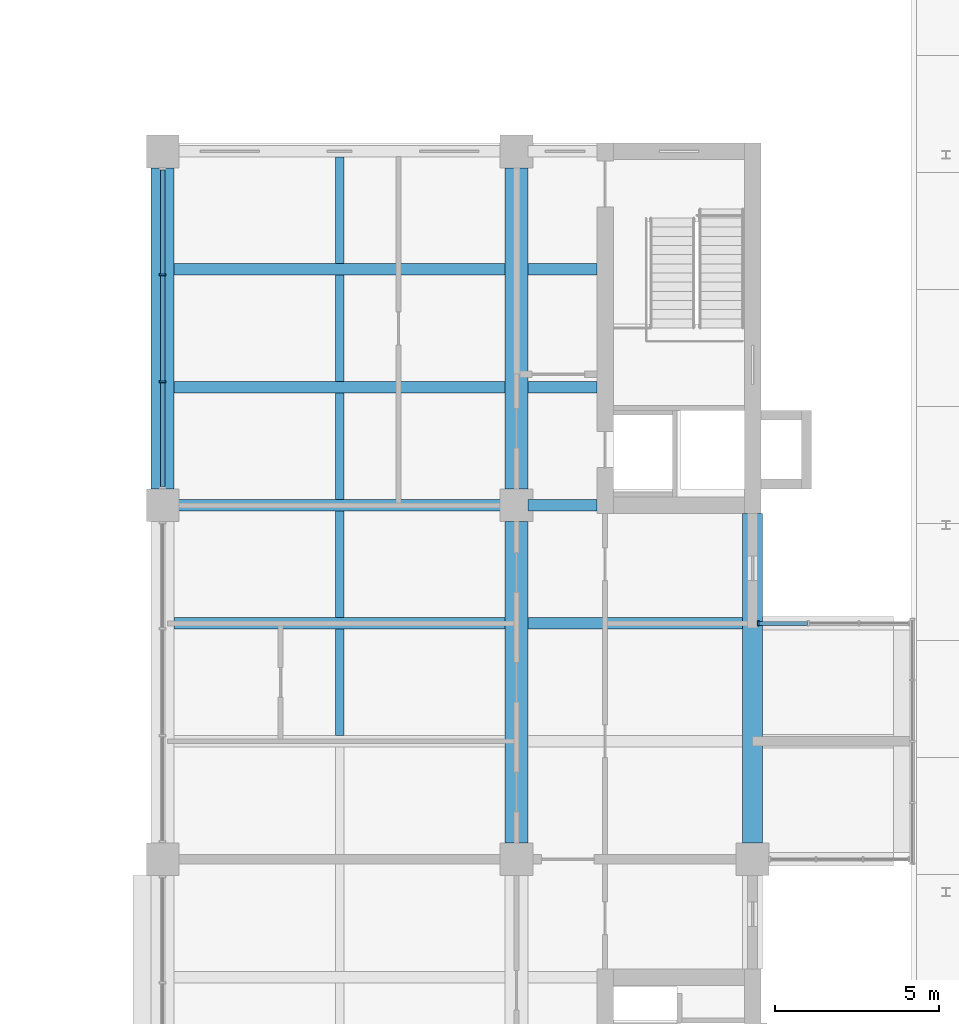
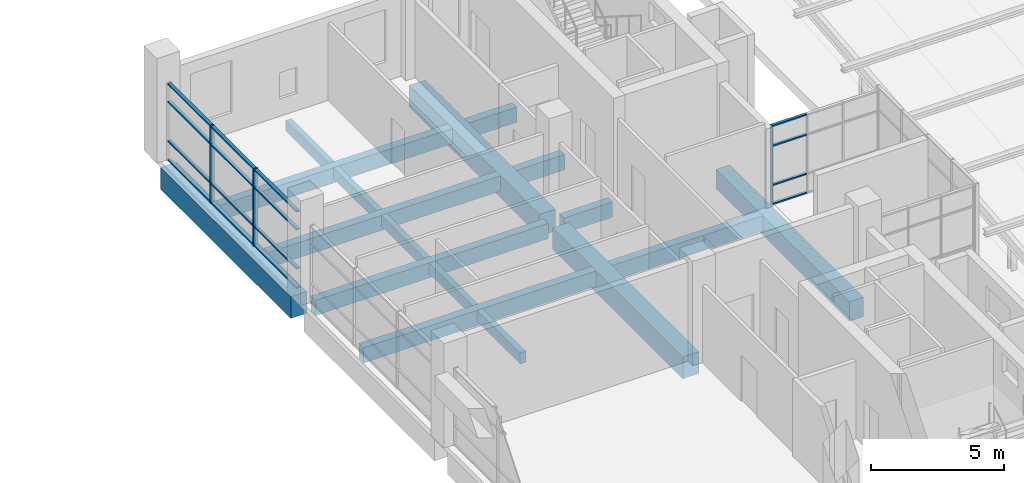
# One storey, part 12 of 44: 19 members, 17 beams, 2 elements without a shape of their own.
"""IFC4 building model written with IfcOpenShell, lengths in metres."""

from ifc_helpers import new_model, si_unit, direction, frame, origin, origin_2d, place, context, subcontext, project, spatial, rectangle, extrude, material, layer, layer_set, material_profile, profile_set, type_object, element, aggregate, save


model = new_model("IFC4")

# Units and contexts
model_context = context("Model", 3, precision=1e-05, world=origin(), true_north=direction((0.0, 1.0)))
body_context = subcontext(model_context, "Body", "Model", "MODEL_VIEW")
ifc_project = project(units=[si_unit("LENGTHUNIT", "METRE"), si_unit("AREAUNIT", "SQUARE_METRE"), si_unit("VOLUMEUNIT", "CUBIC_METRE"), si_unit("PLANEANGLEUNIT", "RADIAN"), si_unit("MASSUNIT", "GRAM", prefix="KILO")], contexts=[model_context])

# Site, building, storey
site_placement = place(None, origin())
site = spatial("IfcSite", under=ifc_project, at=site_placement, CompositionType="ELEMENT")
building_placement = place(site_placement, origin())
building = spatial("IfcBuilding", under=site, at=building_placement, Name="Basin Gate Institute", CompositionType="ELEMENT")
storey_placement = place(building_placement, frame((0.0, 0.0, 27.0)))
storey = spatial("IfcBuildingStorey", under=building, at=storey_placement, Name="L05", CompositionType="ELEMENT", Elevation=27.0)

# Beams
ifc_material_1 = material(Name="Concrete 40 MPa", Category="concrete")
ifc_material_profile_1 = material_profile(ifc_material_1, rectangle(XDim=0.35009765625, YDim=0.699951171875, at=origin_2d()), Name="Beam B1 350 x 700")
ifc_profile_set_1 = profile_set([ifc_material_profile_1], Name="Concrete 40 MPa")
beam_type_1 = type_object("IfcBeamType", Name="Beam B1 R120", PredefinedType="BEAM", material=ifc_profile_set_1)
beam_1_placement = place(storey_placement, frame((111.25, 85.5, -0.60009765625), z_axis=(-1.0, 0.0, 0.0), x_axis=(0.0, -1.0, 0.0)))
element("IfcBeam", 1, at=beam_1_placement, inside=storey, type_object=beam_type_1, material=ifc_profile_set_1, Name="BEAM/L05/E/EW/15", PredefinedType="BEAM", context=body_context, shape_type="SweptSolid", body=[
    extrude(rectangle(XDim=0.35009765625, YDim=0.699951171875, at=origin_2d()), origin(), (0.0, 0.0, 1.0), 10.10009765625),
])
beam_2_placement = place(storey_placement, frame((118.5, 85.5, -0.60009765625), z_axis=(-1.0, 0.0, 0.0), x_axis=(0.0, -1.0, 0.0)))
element("IfcBeam", 2, at=beam_2_placement, inside=storey, type_object=beam_type_1, material=ifc_profile_set_1, Name="BEAM/L05/E/OUT/15", PredefinedType="BEAM", context=body_context, shape_type="SweptSolid", body=[
    extrude(rectangle(XDim=0.35009765625, YDim=0.699951171875, at=origin_2d()), origin(), (0.0, 0.0, 1.0), 6.550048828125),
])
beam_3_placement = place(storey_placement, frame((111.25, 89.10009765625, -0.60009765625), z_axis=(-1.0, 0.0, 0.0), x_axis=(0.0, -1.0, 0.0)))
element("IfcBeam", 3, at=beam_3_placement, inside=storey, type_object=beam_type_1, material=ifc_profile_set_1, Name="BEAM/L05/E/EW/16", PredefinedType="BEAM", context=body_context, shape_type="SweptSolid", body=[
    extrude(rectangle(XDim=0.35009765625, YDim=0.699951171875, at=origin_2d()), origin(), (0.0, 0.0, 1.0), 10.10009765625),
])
beam_4_placement = place(storey_placement, frame((114.050048828125, 89.10009765625, -0.60009765625), z_axis=(-1.0, 0.0, 0.0), x_axis=(0.0, -1.0, 0.0)))
element("IfcBeam", 4, at=beam_4_placement, inside=storey, type_object=beam_type_1, material=ifc_profile_set_1, Name="BEAM/L05/E/CORR/16", PredefinedType="BEAM", context=body_context, shape_type="SweptSolid", body=[
    extrude(rectangle(XDim=0.35009765625, YDim=0.699951171875, at=origin_2d()), origin(), (0.0, 0.0, 1.0), 2.10009765625),
])
beam_5_placement = place(storey_placement, frame((111.25, 92.699951171875, -0.60009765625), z_axis=(-1.0, 0.0, 0.0), x_axis=(0.0, -1.0, 0.0)))
element("IfcBeam", 5, at=beam_5_placement, inside=storey, type_object=beam_type_1, material=ifc_profile_set_1, Name="BEAM/L05/E/EW/17", PredefinedType="BEAM", context=body_context, shape_type="SweptSolid", body=[
    extrude(rectangle(XDim=0.35009765625, YDim=0.699951171875, at=origin_2d()), origin(), (0.0, 0.0, 1.0), 10.10009765625),
])
beam_6_placement = place(storey_placement, frame((114.050048828125, 92.699951171875, -0.60009765625), z_axis=(-1.0, 0.0, 0.0), x_axis=(0.0, -1.0, 0.0)))
element("IfcBeam", 6, at=beam_6_placement, inside=storey, type_object=beam_type_1, material=ifc_profile_set_1, Name="BEAM/L05/E/CORR/17", PredefinedType="BEAM", context=body_context, shape_type="SweptSolid", body=[
    extrude(rectangle(XDim=0.35009765625, YDim=0.699951171875, at=origin_2d()), origin(), (0.0, 0.0, 1.0), 2.10009765625),
])
beam_7_placement = place(storey_placement, frame((111.25, 96.300048828125, -0.60009765625), z_axis=(-1.0, 0.0, 0.0), x_axis=(0.0, -1.0, 0.0)))
element("IfcBeam", 7, at=beam_7_placement, inside=storey, type_object=beam_type_1, material=ifc_profile_set_1, Name="BEAM/L05/E/EW/18", PredefinedType="BEAM", context=body_context, shape_type="SweptSolid", body=[
    extrude(rectangle(XDim=0.35009765625, YDim=0.699951171875, at=origin_2d()), origin(), (0.0, 0.0, 1.0), 10.10009765625),
])
beam_8_placement = place(storey_placement, frame((114.050048828125, 96.300048828125, -0.60009765625), z_axis=(-1.0, 0.0, 0.0), x_axis=(0.0, -1.0, 0.0)))
element("IfcBeam", 8, at=beam_8_placement, inside=storey, type_object=beam_type_1, material=ifc_profile_set_1, Name="BEAM/L05/E/CORR/18", PredefinedType="BEAM", context=body_context, shape_type="SweptSolid", body=[
    extrude(rectangle(XDim=0.35009765625, YDim=0.699951171875, at=origin_2d()), origin(), (0.0, 0.0, 1.0), 2.10009765625),
])
ifc_material_2 = material(Name="Concrete 50 MPa", Category="concrete")
ifc_material_profile_2 = material_profile(ifc_material_2, rectangle(XDim=0.60009765625, YDim=0.89990234375, at=origin_2d()), Name="Edge beam EB1 600 x 900")
ifc_profile_set_2 = profile_set([ifc_material_profile_2], Name="Concrete 50 MPa")
beam_type_2 = type_object("IfcBeamType", Name="Edge beam EB1 R120", PredefinedType="SPANDREL", material=ifc_profile_set_2)
beam_9_placement = place(storey_placement, frame((118.800048828125, 78.800048828125, -0.699951171875), z_axis=(0.0, 1.0, 0.0), x_axis=(-1.0, 0.0, 0.0)))
element("IfcBeam", 9, at=beam_9_placement, inside=storey, type_object=beam_type_2, material=ifc_profile_set_2, Name="BEAM/L05/E/EDGE/4", PredefinedType="SPANDREL", context=body_context, shape_type="SweptSolid", body=[
    extrude(rectangle(XDim=0.60009765625, YDim=0.89990234375, at=origin_2d()), origin(), (0.0, 0.0, 1.0), 10.050048828125),
])
ifc_material_3 = material(Name="Concrete 50 MPa", Category="concrete")
ifc_material_profile_3 = material_profile(ifc_material_3, rectangle(XDim=0.699951171875, YDim=1.0, at=origin_2d()), Name="Girder G1 700 x 1000")
ifc_profile_set_3 = profile_set([ifc_material_profile_3], Name="Concrete 50 MPa")
beam_type_3 = type_object("IfcBeamType", Name="Girder G1 R120", PredefinedType="BEAM", material=ifc_profile_set_3)
beam_10_placement = place(storey_placement, frame((111.60009765625, 78.800048828125, -0.75), z_axis=(0.0, 1.0, 0.0), x_axis=(-1.0, 0.0, 0.0)))
element("IfcBeam", 10, at=beam_10_placement, inside=storey, type_object=beam_type_3, material=ifc_profile_set_3, Name="GIR/L05/E8/5", PredefinedType="BEAM", context=body_context, shape_type="SweptSolid", body=[
    extrude(rectangle(XDim=0.699951171875, YDim=1.0, at=origin_2d()), origin(), (0.0, 0.0, 1.0), 9.800048828125),
])
for number, where, z_axis, x_axis, name in (
    (11, (111.60009765625, 89.60009765625, -0.75), (0.0, 1.0, 0.0), (-1.0, 0.0, 0.0), "GIR/L05/E8/6"),
    (12, (100.800048828125, 89.60009765625, -0.75), (0.0, 1.0, 0.0), (-1.0, 0.0, 0.0), "GIR/L05/E7/6"),
):
    element("IfcBeam", number, at=place(storey_placement, frame(where, z_axis=z_axis, x_axis=x_axis)), inside=storey, type_object=beam_type_3, material=ifc_profile_set_3, Name=name, PredefinedType="BEAM", context=body_context, shape_type="SweptSolid", body=[
        extrude(rectangle(XDim=0.699951171875, YDim=1.0, at=origin_2d()), origin(), (0.0, 0.0, 1.0), 9.7998046875),
    ])

# Curtain wall, member
ifc_material_4 = material(Name="Aluminium-framed glazing", Category="aluminium")
ifc_layer_1 = layer(ifc_material_4, 0.14990234375)
ifc_layer_set_1 = layer_set([ifc_layer_1], Name="Capsule front curtain wall CW1")
curtain_wall_type_1 = type_object("IfcCurtainWallType", Name="Capsule front curtain wall CW1", PredefinedType="NOTDEFINED", material=ifc_layer_set_1)
curtain_wall_1_placement = place(storey_placement, origin())
curtain_wall_1 = element("IfcCurtainWall", 13, at=curtain_wall_1_placement, inside=storey, type_object=curtain_wall_type_1, material=ifc_layer_set_1, Name="Capsule front curtain wall E wing capsule end L05 line 15", PredefinedType="NOTDEFINED")
ifc_material_5 = material(Name="Aluminium", Category="aluminium")
ifc_material_profile_4 = material_profile(ifc_material_5, rectangle(XDim=0.14990234375, YDim=0.050048828125, at=origin_2d()), Name="Mullion MU1 150 x 50")
ifc_profile_set_4 = profile_set([ifc_material_profile_4], Name="Aluminium")
member_type_1 = type_object("IfcMemberType", Name="Mullion MU1", PredefinedType="MULLION", material=ifc_profile_set_4)
member_1_placement = place(storey_placement, frame((118.97509765625, 85.5, 0.0), z_axis=(0.0, 0.0, 1.0), x_axis=(0.0, -1.0, 0.0)))
member_1 = element("IfcMember", 14, at=member_1_placement, type_object=member_type_1, material=ifc_profile_set_4, Name="CW1 mullion 4", PredefinedType="MULLION", context=body_context, shape_type="SweptSolid", body=[
    extrude(rectangle(XDim=0.14990234375, YDim=0.050048828125, at=origin_2d()), origin(), (0.0, 0.0, 1.0), 3.64990234375),
])

# Curtain wall, members
ifc_material_6 = material(Name="Aluminium-framed glazing", Category="aluminium")
ifc_layer_2 = layer(ifc_material_6, 0.199951171875)
ifc_layer_set_2 = layer_set([ifc_layer_2], Name="Atrium curtain wall CW2")
curtain_wall_type_2 = type_object("IfcCurtainWallType", Name="Atrium curtain wall CW2", PredefinedType="NOTDEFINED", material=ifc_layer_set_2)
curtain_wall_2_placement = place(storey_placement, origin())
curtain_wall_2 = element("IfcCurtainWall", 15, at=curtain_wall_2_placement, inside=storey, type_object=curtain_wall_type_2, material=ifc_layer_set_2, Name="Atrium curtain wall E wing atrium bay 6 L05", PredefinedType="NOTDEFINED")
ifc_material_7 = material(Name="Aluminium", Category="aluminium")
ifc_material_profile_5 = material_profile(ifc_material_7, rectangle(XDim=0.199951171875, YDim=0.06005859375, at=origin_2d()), Name="Mullion MU2 200 x 60")
ifc_profile_set_5 = profile_set([ifc_material_profile_5], Name="Aluminium")
member_type_2 = type_object("IfcMemberType", Name="Mullion MU2", PredefinedType="MULLION", material=ifc_profile_set_5)
member_2_placement = place(storey_placement, frame((100.800048828125, 92.86669921875, 0.0), z_axis=(0.0, 0.0, 1.0), x_axis=(-1.0, 0.0, 0.0)))
member_2 = element("IfcMember", 16, at=member_2_placement, type_object=member_type_2, material=ifc_profile_set_5, Name="CW2 mullion 2", PredefinedType="MULLION", context=body_context, shape_type="SweptSolid", body=[
    extrude(rectangle(XDim=0.199951171875, YDim=0.06005859375, at=origin_2d()), origin(), (0.0, 0.0, 1.0), 3.550048828125),
])
member_3_placement = place(storey_placement, frame((100.800048828125, 96.13330078125, 0.0), z_axis=(0.0, 0.0, 1.0), x_axis=(-1.0, 0.0, 0.0)))
member_3 = element("IfcMember", 17, at=member_3_placement, type_object=member_type_2, material=ifc_profile_set_5, Name="CW2 mullion 3", PredefinedType="MULLION", context=body_context, shape_type="SweptSolid", body=[
    extrude(rectangle(XDim=0.199951171875, YDim=0.06005859375, at=origin_2d()), origin(), (0.0, 0.0, 1.0), 3.550048828125),
])

# Beams
ifc_material_8 = material(Name="Concrete 40 MPa", Category="concrete")
ifc_material_profile_6 = material_profile(ifc_material_8, rectangle(XDim=0.25, YDim=0.5, at=origin_2d()), Name="Rib R1 250 x 500")
ifc_profile_set_6 = profile_set([ifc_material_profile_6], Name="Concrete 40 MPa")
beam_type_4 = type_object("IfcBeamType", Name="Rib R1 R120", PredefinedType="JOIST", material=ifc_profile_set_6)
for number, where, z_axis, x_axis, name in (
    (18, (106.199951171875, 82.074951171875, -0.5), (0.0, 1.0, 0.0), (-1.0, 0.0, 0.0), "BEAM/L05/E/RIB/14"),
    (19, (106.199951171875, 85.675048828125, -0.5), (0.0, 1.0, 0.0), (-1.0, 0.0, 0.0), "BEAM/L05/E/RIB/15"),
    (20, (106.199951171875, 89.27490234375, -0.5), (0.0, 1.0, 0.0), (-1.0, 0.0, 0.0), "BEAM/L05/E/RIB/16"),
    (21, (106.199951171875, 92.875, -0.5), (0.0, 1.0, 0.0), (-1.0, 0.0, 0.0), "BEAM/L05/E/RIB/17"),
    (22, (106.199951171875, 96.47509765625, -0.5), (0.0, 1.0, 0.0), (-1.0, 0.0, 0.0), "BEAM/L05/E/RIB/18"),
):
    element("IfcBeam", number, at=place(storey_placement, frame(where, z_axis=z_axis, x_axis=x_axis)), inside=storey, type_object=beam_type_4, material=ifc_profile_set_6, Name=name, PredefinedType="JOIST", context=body_context, shape_type="SweptSolid", body=[
        extrude(rectangle(XDim=0.25, YDim=0.5, at=origin_2d()), origin(), (0.0, 0.0, 1.0), 3.25),
    ])

# Member
ifc_material_9 = material(Name="Aluminium", Category="aluminium")
ifc_material_profile_7 = material_profile(ifc_material_9, rectangle(XDim=0.1201171875, YDim=0.06005859375, at=origin_2d()), Name="Transom TR1 120 x 60")
ifc_profile_set_7 = profile_set([ifc_material_profile_7], Name="Aluminium")
member_type_3 = type_object("IfcMemberType", Name="Transom TR1", PredefinedType="USERDEFINED", material=ifc_profile_set_7)
member_4_placement = place(storey_placement, frame((120.47509765625, 85.5, 0.030029296875), z_axis=(-1.0, 0.0, 0.0), x_axis=(0.0, -1.0, 0.0)))
member_4 = element("IfcMember", 23, at=member_4_placement, type_object=member_type_3, material=ifc_profile_set_7, Name="CW1 transom 3.1", ObjectType="TRANSOM", PredefinedType="USERDEFINED", context=body_context, shape_type="SweptSolid", body=[
    extrude(rectangle(XDim=0.1201171875, YDim=0.06005859375, at=origin_2d()), origin(), (0.0, 0.0, 1.0), 1.47509765625),
])

member_5_placement = place(storey_placement, frame((120.47509765625, 85.5, 0.89990234375), z_axis=(-1.0, 0.0, 0.0), x_axis=(0.0, -1.0, 0.0)))
member_5 = element("IfcMember", 24, at=member_5_placement, type_object=member_type_3, material=ifc_profile_set_7, Name="CW1 transom 3.2", ObjectType="TRANSOM", PredefinedType="USERDEFINED", context=body_context, shape_type="SweptSolid", body=[
    extrude(rectangle(XDim=0.1201171875, YDim=0.06005859375, at=origin_2d()), origin(), (0.0, 0.0, 1.0), 1.47509765625),
])

member_6_placement = place(storey_placement, frame((120.47509765625, 85.5, 2.699951171875), z_axis=(-1.0, 0.0, 0.0), x_axis=(0.0, -1.0, 0.0)))
member_6 = element("IfcMember", 25, at=member_6_placement, type_object=member_type_3, material=ifc_profile_set_7, Name="CW1 transom 3.3", ObjectType="TRANSOM", PredefinedType="USERDEFINED", context=body_context, shape_type="SweptSolid", body=[
    extrude(rectangle(XDim=0.1201171875, YDim=0.06005859375, at=origin_2d()), origin(), (0.0, 0.0, 1.0), 1.47509765625),
])

member_7_placement = place(storey_placement, frame((120.47509765625, 85.5, 3.6201171875), z_axis=(-1.0, 0.0, 0.0), x_axis=(0.0, -1.0, 0.0)))
member_7 = element("IfcMember", 26, at=member_7_placement, type_object=member_type_3, material=ifc_profile_set_7, Name="CW1 transom 3.4", ObjectType="TRANSOM", PredefinedType="USERDEFINED", context=body_context, shape_type="SweptSolid", body=[
    extrude(rectangle(XDim=0.1201171875, YDim=0.06005859375, at=origin_2d()), origin(), (0.0, 0.0, 1.0), 1.47509765625),
])

aggregate(curtain_wall_1, [member_1, member_4, member_5, member_6, member_7])

ifc_material_10 = material(Name="Aluminium", Category="aluminium")
ifc_material_profile_8 = material_profile(ifc_material_10, rectangle(XDim=0.14990234375, YDim=0.06005859375, at=origin_2d()), Name="Transom TR2 150 x 60")
ifc_profile_set_8 = profile_set([ifc_material_profile_8], Name="Aluminium")
member_type_4 = type_object("IfcMemberType", Name="Transom TR2", PredefinedType="USERDEFINED", material=ifc_profile_set_8)
member_8_placement = place(storey_placement, frame((100.800048828125, 89.659912109375, 0.030029296875), z_axis=(0.0, 1.0, 0.0), x_axis=(-1.0, 0.0, 0.0)))
member_8 = element("IfcMember", 27, at=member_8_placement, type_object=member_type_4, material=ifc_profile_set_8, Name="CW2 transom 1.1", ObjectType="TRANSOM", PredefinedType="USERDEFINED", context=body_context, shape_type="SweptSolid", body=[
    extrude(rectangle(XDim=0.14990234375, YDim=0.06005859375, at=origin_2d()), origin(), (0.0, 0.0, 1.0), 3.1767578125),
])

member_9_placement = place(storey_placement, frame((100.800048828125, 89.659912109375, 0.89990234375), z_axis=(0.0, 1.0, 0.0), x_axis=(-1.0, 0.0, 0.0)))
member_9 = element("IfcMember", 28, at=member_9_placement, type_object=member_type_4, material=ifc_profile_set_8, Name="CW2 transom 1.2", ObjectType="TRANSOM", PredefinedType="USERDEFINED", context=body_context, shape_type="SweptSolid", body=[
    extrude(rectangle(XDim=0.14990234375, YDim=0.06005859375, at=origin_2d()), origin(), (0.0, 0.0, 1.0), 3.1767578125),
])

member_10_placement = place(storey_placement, frame((100.800048828125, 89.659912109375, 2.699951171875), z_axis=(0.0, 1.0, 0.0), x_axis=(-1.0, 0.0, 0.0)))
member_10 = element("IfcMember", 29, at=member_10_placement, type_object=member_type_4, material=ifc_profile_set_8, Name="CW2 transom 1.3", ObjectType="TRANSOM", PredefinedType="USERDEFINED", context=body_context, shape_type="SweptSolid", body=[
    extrude(rectangle(XDim=0.14990234375, YDim=0.06005859375, at=origin_2d()), origin(), (0.0, 0.0, 1.0), 3.1767578125),
])

member_11_placement = place(storey_placement, frame((100.800048828125, 89.659912109375, 3.52001953125), z_axis=(0.0, 1.0, 0.0), x_axis=(-1.0, 0.0, 0.0)))
member_11 = element("IfcMember", 30, at=member_11_placement, type_object=member_type_4, material=ifc_profile_set_8, Name="CW2 transom 1.4", ObjectType="TRANSOM", PredefinedType="USERDEFINED", context=body_context, shape_type="SweptSolid", body=[
    extrude(rectangle(XDim=0.14990234375, YDim=0.06005859375, at=origin_2d()), origin(), (0.0, 0.0, 1.0), 3.1767578125),
])

member_12_placement = place(storey_placement, frame((100.800048828125, 92.896728515625, 0.030029296875), z_axis=(0.0, 1.0, 0.0), x_axis=(-1.0, 0.0, 0.0)))
member_12 = element("IfcMember", 31, at=member_12_placement, type_object=member_type_4, material=ifc_profile_set_8, Name="CW2 transom 2.1", ObjectType="TRANSOM", PredefinedType="USERDEFINED", context=body_context, shape_type="SweptSolid", body=[
    extrude(rectangle(XDim=0.14990234375, YDim=0.06005859375, at=origin_2d()), origin(), (0.0, 0.0, 1.0), 3.20654296875),
])

member_13_placement = place(storey_placement, frame((100.800048828125, 92.896728515625, 0.89990234375), z_axis=(0.0, 1.0, 0.0), x_axis=(-1.0, 0.0, 0.0)))
member_13 = element("IfcMember", 32, at=member_13_placement, type_object=member_type_4, material=ifc_profile_set_8, Name="CW2 transom 2.2", ObjectType="TRANSOM", PredefinedType="USERDEFINED", context=body_context, shape_type="SweptSolid", body=[
    extrude(rectangle(XDim=0.14990234375, YDim=0.06005859375, at=origin_2d()), origin(), (0.0, 0.0, 1.0), 3.20654296875),
])

member_14_placement = place(storey_placement, frame((100.800048828125, 92.896728515625, 2.699951171875), z_axis=(0.0, 1.0, 0.0), x_axis=(-1.0, 0.0, 0.0)))
member_14 = element("IfcMember", 33, at=member_14_placement, type_object=member_type_4, material=ifc_profile_set_8, Name="CW2 transom 2.3", ObjectType="TRANSOM", PredefinedType="USERDEFINED", context=body_context, shape_type="SweptSolid", body=[
    extrude(rectangle(XDim=0.14990234375, YDim=0.06005859375, at=origin_2d()), origin(), (0.0, 0.0, 1.0), 3.20654296875),
])

member_15_placement = place(storey_placement, frame((100.800048828125, 92.896728515625, 3.52001953125), z_axis=(0.0, 1.0, 0.0), x_axis=(-1.0, 0.0, 0.0)))
member_15 = element("IfcMember", 34, at=member_15_placement, type_object=member_type_4, material=ifc_profile_set_8, Name="CW2 transom 2.4", ObjectType="TRANSOM", PredefinedType="USERDEFINED", context=body_context, shape_type="SweptSolid", body=[
    extrude(rectangle(XDim=0.14990234375, YDim=0.06005859375, at=origin_2d()), origin(), (0.0, 0.0, 1.0), 3.20654296875),
])

member_16_placement = place(storey_placement, frame((100.800048828125, 96.163330078125, 0.030029296875), z_axis=(0.0, 1.0, 0.0), x_axis=(-1.0, 0.0, 0.0)))
member_16 = element("IfcMember", 35, at=member_16_placement, type_object=member_type_4, material=ifc_profile_set_8, Name="CW2 transom 3.1", ObjectType="TRANSOM", PredefinedType="USERDEFINED", context=body_context, shape_type="SweptSolid", body=[
    extrude(rectangle(XDim=0.14990234375, YDim=0.06005859375, at=origin_2d()), origin(), (0.0, 0.0, 1.0), 3.1767578125),
])

member_17_placement = place(storey_placement, frame((100.800048828125, 96.163330078125, 0.89990234375), z_axis=(0.0, 1.0, 0.0), x_axis=(-1.0, 0.0, 0.0)))
member_17 = element("IfcMember", 36, at=member_17_placement, type_object=member_type_4, material=ifc_profile_set_8, Name="CW2 transom 3.2", ObjectType="TRANSOM", PredefinedType="USERDEFINED", context=body_context, shape_type="SweptSolid", body=[
    extrude(rectangle(XDim=0.14990234375, YDim=0.06005859375, at=origin_2d()), origin(), (0.0, 0.0, 1.0), 3.1767578125),
])

member_18_placement = place(storey_placement, frame((100.800048828125, 96.163330078125, 2.699951171875), z_axis=(0.0, 1.0, 0.0), x_axis=(-1.0, 0.0, 0.0)))
member_18 = element("IfcMember", 37, at=member_18_placement, type_object=member_type_4, material=ifc_profile_set_8, Name="CW2 transom 3.3", ObjectType="TRANSOM", PredefinedType="USERDEFINED", context=body_context, shape_type="SweptSolid", body=[
    extrude(rectangle(XDim=0.14990234375, YDim=0.06005859375, at=origin_2d()), origin(), (0.0, 0.0, 1.0), 3.1767578125),
])

member_19_placement = place(storey_placement, frame((100.800048828125, 96.163330078125, 3.52001953125), z_axis=(0.0, 1.0, 0.0), x_axis=(-1.0, 0.0, 0.0)))
member_19 = element("IfcMember", 38, at=member_19_placement, type_object=member_type_4, material=ifc_profile_set_8, Name="CW2 transom 3.4", ObjectType="TRANSOM", PredefinedType="USERDEFINED", context=body_context, shape_type="SweptSolid", body=[
    extrude(rectangle(XDim=0.14990234375, YDim=0.06005859375, at=origin_2d()), origin(), (0.0, 0.0, 1.0), 3.1767578125),
])

aggregate(curtain_wall_2, [member_2, member_3, member_8, member_9, member_10, member_11, member_12, member_13, member_14, member_15, member_16, member_17, member_18, member_19])

save(model, "model.ifc")
